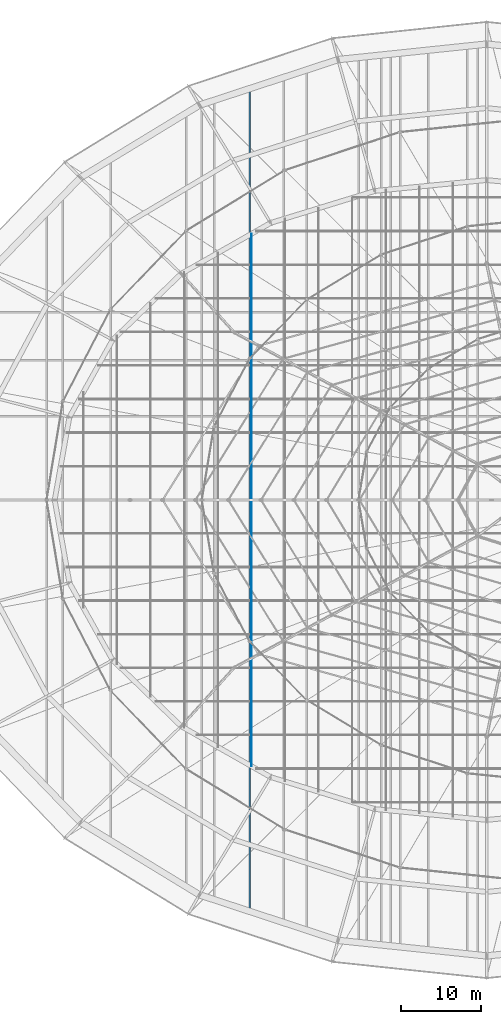
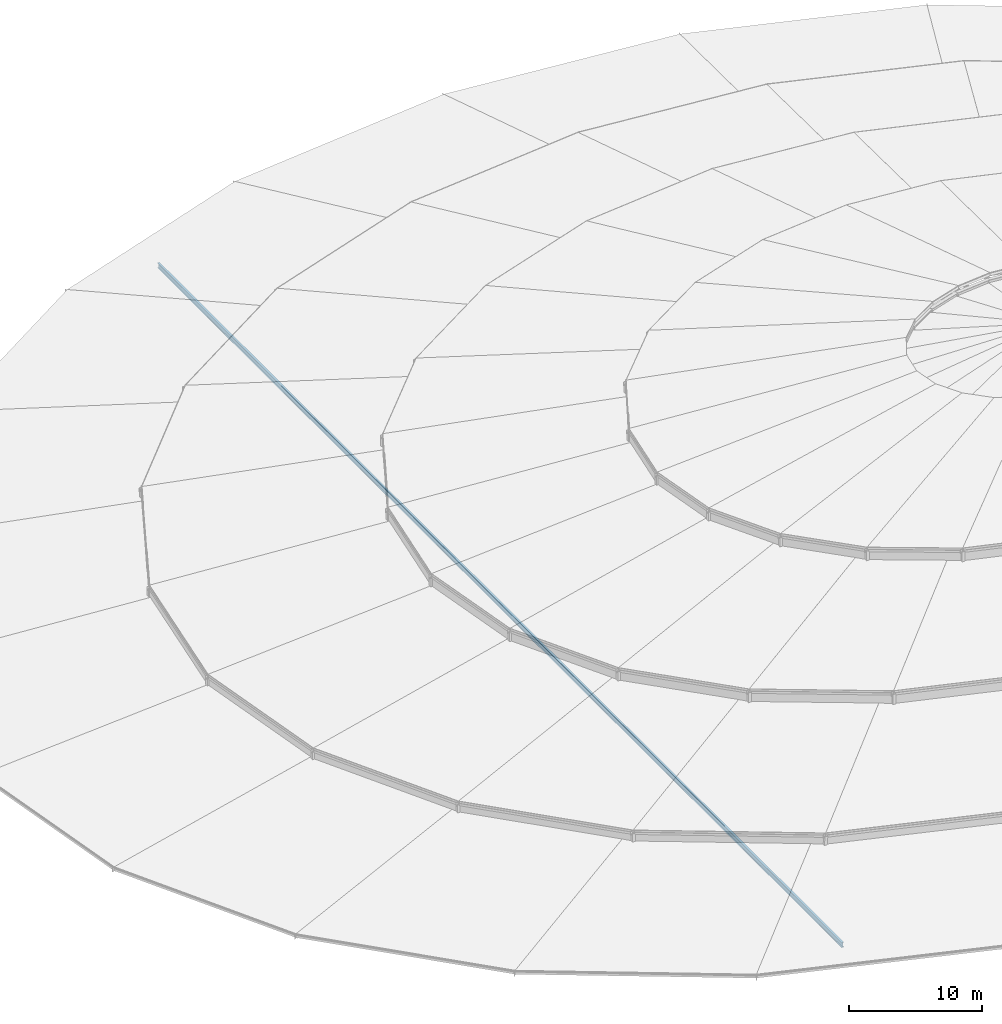
# One storey, part 20 of 184: 2 members.
"""IFC4 building model written with IfcOpenShell, lengths in metres."""

from ifc_helpers import new_model, si_unit, direction, frame, origin, origin_2d, place, context, subcontext, project, spatial, circle, i_section, extrude, material, material_profile, profile_set, type_object, element, save


model = new_model("IFC4")

# Units and contexts
model_context = context("Model", 3, precision=1e-05, world=origin(), true_north=direction((0.0, 1.0)))
body_context = subcontext(model_context, "Body", "Model", "MODEL_VIEW")
ifc_project = project(units=[si_unit("LENGTHUNIT", "METRE"), si_unit("AREAUNIT", "SQUARE_METRE"), si_unit("VOLUMEUNIT", "CUBIC_METRE"), si_unit("PLANEANGLEUNIT", "RADIAN"), si_unit("MASSUNIT", "GRAM", prefix="KILO")], contexts=[model_context])

# Site, building, storey
site_placement = place(None, origin())
site = spatial("IfcSite", under=ifc_project, at=site_placement, CompositionType="ELEMENT")
building_placement = place(site_placement, origin())
building = spatial("IfcBuilding", under=site, at=building_placement, Name="Kalgoora Escarpment Arena", CompositionType="ELEMENT")
storey_placement = place(building_placement, frame((0.0, 0.0, 27.60009765625)))
storey = spatial("IfcBuildingStorey", under=building, at=storey_placement, Name="Roof Level", CompositionType="ELEMENT", Elevation=27.60009765625)

# Members
ifc_material_1 = material(Name="High-tensile spiral strand steel Grade 450 (350 MPa)", Category="steel")
ifc_material_profile_1 = material_profile(ifc_material_1, circle(Radius=0.028076171875, at=origin_2d()))
ifc_profile_set_1 = profile_set([ifc_material_profile_1], Name="High-tensile spiral strand steel Grade 450 (350 MPa)")
member_type_1 = type_object("IfcMemberType", Name="MEM-CABLE-56", PredefinedType="USERDEFINED", material=ifc_profile_set_1)
member_1_placement = place(storey_placement, frame((63.0, 30.72314453125, -1.190185546875), z_axis=(0.0, 1.0, 0.0), x_axis=(-1.0, 0.0, 0.0)))
element("IfcMember", 1, at=member_1_placement, inside=storey, type_object=member_type_1, Name="Roof saddle pretensioning cable Y-24", ObjectType="CABLE", PredefinedType="USERDEFINED", context=body_context, shape_type="SweptSolid", body=[
    extrude(circle(Radius=0.028076171875, at=origin_2d()), origin(), (0.0, 0.0, 1.0), 66.5537109375),
])
ifc_material_2 = material(Name="Structural steel AS/NZS 3679 (300 MPa)", Category="steel")
ifc_material_profile_2 = material_profile(ifc_material_2, i_section(OverallWidth=0.19091796875, OverallDepth=0.4599609375, WebThickness=0.010009765625, FlangeThickness=0.01611328125, at=origin_2d()))
ifc_profile_set_2 = profile_set([ifc_material_profile_2], Name="Structural steel AS/NZS 3679 (300 MPa)")
member_type_2 = type_object("IfcMemberType", Name="MEM-CARRIER-CHORD", PredefinedType="CHORD", material=ifc_profile_set_2)
member_2_placement = place(storey_placement, frame((62.802001953125, 12.564208984375, -1.02001953125), z_axis=(0.0, 1.0, 0.0), x_axis=(-1.0, 0.0, 0.0)))
element("IfcMember", 2, at=member_2_placement, inside=storey, type_object=member_type_2, Name="Petal RP3 spanning carrier chord C11", PredefinedType="CHORD", context=body_context, shape_type="SweptSolid", body=[
    extrude(i_section(OverallWidth=0.19091796875, OverallDepth=0.4599609375, WebThickness=0.010009765625, FlangeThickness=0.01611328125, at=origin_2d()), origin(), (0.0, 0.0, 1.0), 102.87158203125),
])

save(model, "model.ifc")
